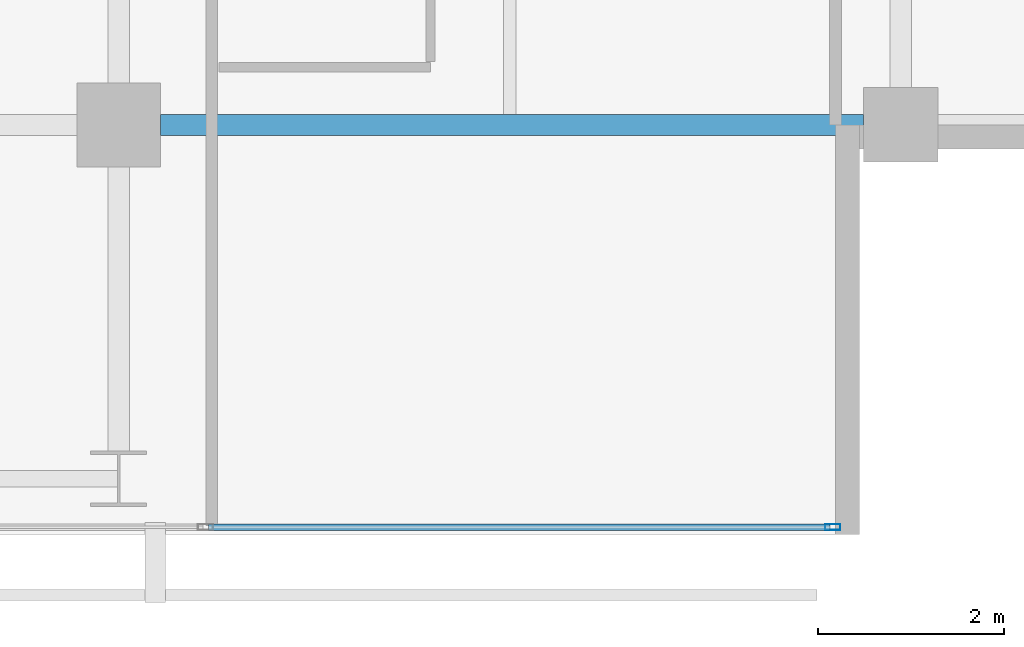
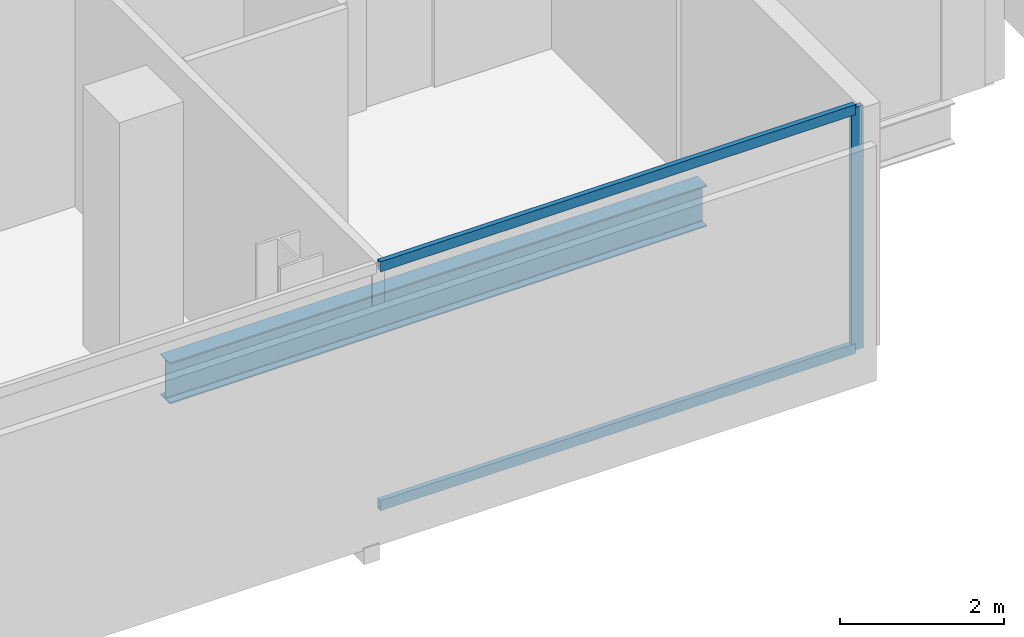
# One storey, part 13 of 33: 3 members, 1 beam, 1 element without a shape of its own.
"""IFC4 building model written with IfcOpenShell, lengths in metres."""

import ifcopenshell
import ifcopenshell.guid

model = None  # the IFC model being written
_history = None  # IfcOwnerHistory: only IFC2X3 demands one
_inside = {}  # id of a spatial element -> (the spatial element, [elements in it])
_under = {}  # id of a project, library or spatial element -> (it, [spatial elements below it])
_declared = {}  # id of a project -> (the project, [libraries it declares])
_typed = {}  # id of a type object -> (the type object, [elements of that type])
_made_of = {}  # id of a material, layer set ... -> (it, [elements and type objects made of it])


def new_model(schema):
    """Start an empty IFC model of exactly this schema.

    Asked for "IFC4X3", IfcOpenShell would pick the latest addendum, in which some entities
    have other attributes; the version numbers below select the first issue.
    IFC2X3 requires an IfcOwnerHistory on every rooted entity: one is made here for all.
    """
    global model, _history
    if schema == "IFC4X3":
        model = ifcopenshell.file(schema_version=(4, 3, 0, 0))
    else:
        model = ifcopenshell.file(schema=schema)
    _inside.clear()
    _under.clear()
    _declared.clear()
    _typed.clear()
    _made_of.clear()
    _history = None
    if model.schema == "IFC2X3":
        org = make("IfcOrganization", Name="unknown")
        user = make(
            "IfcPersonAndOrganization",
            ThePerson=make("IfcPerson", FamilyName="unknown"),
            TheOrganization=org,
        )
        app = make(
            "IfcApplication",
            ApplicationDeveloper=org,
            Version="unknown",
            ApplicationFullName="unknown",
            ApplicationIdentifier="unknown",
        )
        _history = make(
            "IfcOwnerHistory",
            OwningUser=user,
            OwningApplication=app,
            ChangeAction="ADDED",
            CreationDate=0,
        )
    return model


def make(cls, **values):
    """One entity of the class cls with the attributes given. An attribute that is None is left unset."""
    return model.create_entity(
        cls, **{name: value for name, value in values.items() if value is not None}
    )


def rooted(cls, **values):
    """An entity with a GlobalId (a new one), such as an element, a storey or a relation."""
    return make(cls, GlobalId=ifcopenshell.guid.new(), OwnerHistory=_history, **values)


def si_unit(unit_type, name, prefix=None):
    """IfcSIUnit, for example si_unit("LENGTHUNIT", "METRE", prefix="MILLI")."""
    return make("IfcSIUnit", UnitType=unit_type, Prefix=prefix, Name=name)


def assignment(units):
    """IfcUnitAssignment: the units of a project."""
    return None if units is None else make("IfcUnitAssignment", Units=units)


def point(xyz):
    """IfcCartesianPoint."""
    return None if xyz is None else make("IfcCartesianPoint", Coordinates=xyz)


def direction(xyz):
    """IfcDirection."""
    return None if xyz is None else make("IfcDirection", DirectionRatios=xyz)


def frame(location, z_axis=None, x_axis=None):
    """IfcAxis2Placement3D, a coordinate frame: its origin and axes. An axis left out is left unset."""
    return make(
        "IfcAxis2Placement3D",
        Location=point(location),
        Axis=direction(z_axis),
        RefDirection=direction(x_axis),
    )


def frame_2d(location, x_axis=None):
    """IfcAxis2Placement2D, a coordinate frame in the plane: its origin and x axis."""
    return make(
        "IfcAxis2Placement2D", Location=point(location), RefDirection=direction(x_axis)
    )


def origin():
    """The frame at (0, 0, 0) with its axes left unset."""
    return frame((0.0, 0.0, 0.0))


def origin_2d():
    """The frame at (0, 0) in the plane with its x axis left unset."""
    return frame_2d((0.0, 0.0))


def place(relative_to, where):
    """IfcLocalPlacement: puts the frame where relative to a parent placement (None: the world)."""
    return make(
        "IfcLocalPlacement", PlacementRelTo=relative_to, RelativePlacement=where
    )


def context(
    kind, dimensions, precision=None, world=None, true_north=None, identifier=None
):
    """IfcGeometricRepresentationContext, for example the 3D "Model" context."""
    return make(
        "IfcGeometricRepresentationContext",
        ContextIdentifier=identifier,
        ContextType=kind,
        CoordinateSpaceDimension=dimensions,
        Precision=precision,
        WorldCoordinateSystem=world,
        TrueNorth=true_north,
    )


def subcontext(parent, identifier, kind, view, scale=None):
    """IfcGeometricRepresentationSubContext, for example "Body" below "Model"."""
    return make(
        "IfcGeometricRepresentationSubContext",
        ContextIdentifier=identifier,
        ContextType=kind,
        ParentContext=parent,
        TargetScale=scale,
        TargetView=view,
    )


def project(units=None, contexts=None):
    """IfcProject with its units and contexts."""
    return rooted(
        "IfcProject",
        Name="project",
        RepresentationContexts=contexts,
        UnitsInContext=assignment(units),
    )


def spatial(cls, under=None, at=None, **own):
    """A site, building, storey or space (cls), placed at a placement, below another one or the project."""
    s = rooted(cls, ObjectPlacement=at, **own)
    if under is not None:
        _under.setdefault(under.id(), (under, []))[1].append(s)
    return s


def profile(cls, at=None, kind="AREA", **sizes):
    """A parametric profile (cls). Its sizes go by their IFC names, for example OverallWidth=200.0."""
    return make(cls, ProfileType=kind, Position=at, **sizes)


def hollow_rectangle(**sizes):
    """IfcRectangleHollowProfileDef."""
    return profile("IfcRectangleHollowProfileDef", **sizes)


def i_section(**sizes):
    """IfcIShapeProfileDef."""
    return profile("IfcIShapeProfileDef", **sizes)


def extrude(swept, where, along, depth):
    """IfcExtrudedAreaSolid: the profile swept, set in the frame where, extruded along a direction by depth."""
    return make(
        "IfcExtrudedAreaSolid",
        SweptArea=swept,
        Position=where,
        ExtrudedDirection=direction(along),
        Depth=depth,
    )


def shape(context_of_items, identifier, shape_type, items):
    """IfcShapeRepresentation: the items that make up one representation, for example the "Body"."""
    return make(
        "IfcShapeRepresentation",
        ContextOfItems=context_of_items,
        RepresentationIdentifier=identifier,
        RepresentationType=shape_type,
        Items=items,
    )


def material(Name=None, Category=None):
    """IfcMaterial."""
    return make("IfcMaterial", Name=Name, Category=Category)


def layer(
    of_material, thickness, ventilated=None, Name=None, Category=None, Priority=None
):
    """IfcMaterialLayer: one layer of a wall or slab, of a material (None: an air gap)."""
    return make(
        "IfcMaterialLayer",
        Material=of_material,
        LayerThickness=thickness,
        IsVentilated=ventilated,
        Name=Name,
        Category=Category,
        Priority=Priority,
    )


def layer_set(layers, Name=None):
    """IfcMaterialLayerSet."""
    return make("IfcMaterialLayerSet", MaterialLayers=layers, LayerSetName=Name)


def material_profile(
    of_material, cross_section, Name=None, Category=None, Priority=None
):
    """IfcMaterialProfile: a cross section and its material."""
    return make(
        "IfcMaterialProfile",
        Name=Name,
        Material=of_material,
        Profile=cross_section,
        Priority=Priority,
        Category=Category,
    )


def profile_set(profiles, Name=None, composite=None):
    """IfcMaterialProfileSet."""
    return make(
        "IfcMaterialProfileSet",
        Name=Name,
        MaterialProfiles=profiles,
        CompositeProfile=composite,
    )


def made_of(thing, what):
    """Note that an element or type object is made of a material, layer set ...; save() writes the relation."""
    if what is not None:
        _made_of.setdefault(what.id(), (what, []))[1].append(thing)
    return thing


def type_object(cls, material=None, **own):
    """A type object (cls), such as IfcWallType, which elements share."""
    return made_of(rooted(cls, **own), material)


def element(
    cls,
    number,
    at=None,
    inside=None,
    cuts=None,
    type_object=None,
    material=None,
    context=None,
    identifier="Body",
    shape_type=None,
    held_by="IfcProductDefinitionShape",
    body=None,
    shapes=None,
    **own,
):
    """One element of the class cls, such as IfcWall. Its Tag is "e" and its number.

    at: its placement. inside: the storey or other place that contains it. cuts: it is an
    opening in that element (IfcRelVoidsElement). A single representation is given by context,
    identifier, shape_type and body (its items); several are given by shapes. held_by: the class
    of the entity that holds the representations. save() writes the other relations.
    """
    e = rooted(cls, Tag="e%d" % number, ObjectPlacement=at, **own)
    if body is not None:
        shapes = [shape(context, identifier, shape_type, body)]
    if shapes is not None:
        e.Representation = make(held_by, Representations=shapes)
    if inside is not None:
        _inside.setdefault(inside.id(), (inside, []))[1].append(e)
    if cuts is not None:
        rooted(
            "IfcRelVoidsElement", RelatingBuildingElement=cuts, RelatedOpeningElement=e
        )
    if type_object is not None:
        _typed.setdefault(type_object.id(), (type_object, []))[1].append(e)
    return made_of(e, material)


def aggregate(whole, parts):
    """IfcRelAggregates: a whole, such as a stair, and the parts it consists of."""
    return rooted("IfcRelAggregates", RelatingObject=whole, RelatedObjects=parts)


def save(model, path):
    """Write the relations noted so far, then the file.

    IfcRelAggregates (storeys below a building ...), IfcRelContainedInSpatialStructure (elements
    in a storey), IfcRelDefinesByType, IfcRelAssociatesMaterial and IfcRelDeclares: one each for
    every whole, place, type object, material and project.
    """
    for whole, parts in _under.values():
        aggregate(whole, parts)
    for where, things in _inside.values():
        rooted(
            "IfcRelContainedInSpatialStructure",
            RelatedElements=things,
            RelatingStructure=where,
        )
    for kind, things in _typed.values():
        rooted("IfcRelDefinesByType", RelatedObjects=things, RelatingType=kind)
    for what, things in _made_of.values():
        rooted("IfcRelAssociatesMaterial", RelatedObjects=things, RelatingMaterial=what)
    for by, libraries in _declared.values():
        rooted("IfcRelDeclares", RelatingContext=by, RelatedDefinitions=libraries)
    model.write(path)


model = new_model("IFC4")

# Units and contexts
model_context = context("Model", 3, precision=1e-05, world=origin(), true_north=direction((0.0, 1.0)))
body_context = subcontext(model_context, "Body", "Model", "MODEL_VIEW")
ifc_project = project(units=[si_unit("LENGTHUNIT", "METRE"), si_unit("AREAUNIT", "SQUARE_METRE"), si_unit("VOLUMEUNIT", "CUBIC_METRE"), si_unit("PLANEANGLEUNIT", "RADIAN"), si_unit("MASSUNIT", "GRAM", prefix="KILO")], contexts=[model_context])

# Site, building, storey
site_placement = place(None, origin())
site = spatial("IfcSite", under=ifc_project, at=site_placement, CompositionType="ELEMENT")
building_placement = place(site_placement, origin())
building = spatial("IfcBuilding", under=site, at=building_placement, Name="Maruvema Waterfront Hotel and Observation Tower", CompositionType="ELEMENT")
storey_placement = place(building_placement, frame((0.0, 0.0, 154.35009765625)))
storey = spatial("IfcBuildingStorey", under=building, at=storey_placement, Name="L37", CompositionType="ELEMENT", Elevation=154.35009765625)

# Curtain wall, members
ifc_material_1 = material(Name="Anodised bronze aluminium and solar-control low-E IGU", Category="aluminium")
ifc_layer = layer(ifc_material_1, 0.159912109375, Name="Zone 2 Amber Inner Thermal Curtain Wall System CW-03")
ifc_layer_set = layer_set([ifc_layer], Name="Anodised bronze aluminium and solar-control low-E IGU")
curtain_wall_type = type_object("IfcCurtainWallType", Name="Zone 2 Amber Inner Thermal Curtain Wall System CW-03", PredefinedType="USERDEFINED", material=ifc_layer_set)
curtain_wall_placement = place(storey_placement, origin())
curtain_wall = element("IfcCurtainWall", 1, at=curtain_wall_placement, inside=storey, type_object=curtain_wall_type, Name="L37 Curtain Wall CW-L37-S", ObjectType="UNITISED CURTAIN WALL", PredefinedType="USERDEFINED")
ifc_material_2 = material(Name="Anodised architectural bronze aluminium", Category="aluminium")
ifc_material_profile_1 = material_profile(ifc_material_2, hollow_rectangle(XDim=0.070068359375, YDim=0.14990234375, WallThickness=0.00390625, at=origin_2d()), Name="ALU-T70x150")
ifc_profile_set_1 = profile_set([ifc_material_profile_1], Name="Anodised architectural bronze aluminium")
member_type_1 = type_object("IfcMemberType", Name="Curtain Wall Horizontal Transom ALU-T70x150", PredefinedType="USERDEFINED", material=ifc_profile_set_1)
member_1_placement = place(storey_placement, frame((51.36328125, 4.679931640625, 0.02978515625), z_axis=(1.0, 0.0, 0.0), x_axis=(0.0, 1.0, 0.0)))
member_1 = element("IfcMember", 2, at=member_1_placement, type_object=member_type_1, Name="CW-03 transom 6.1", ObjectType="TRANSOM", PredefinedType="USERDEFINED", context=body_context, shape_type="SweptSolid", body=[
    extrude(hollow_rectangle(XDim=0.070068359375, YDim=0.14990234375, WallThickness=0.00390625, at=origin_2d()), origin(), (0.0, 0.0, 1.0), 6.6767578125),
])
member_2_placement = place(storey_placement, frame((51.36328125, 4.679931640625, 3.579833984375), z_axis=(1.0, 0.0, 0.0), x_axis=(0.0, 1.0, 0.0)))
member_2 = element("IfcMember", 3, at=member_2_placement, type_object=member_type_1, Name="CW-03 transom 6.2", ObjectType="TRANSOM", PredefinedType="USERDEFINED", context=body_context, shape_type="SweptSolid", body=[
    extrude(hollow_rectangle(XDim=0.070068359375, YDim=0.14990234375, WallThickness=0.00390625, at=origin_2d()), origin(), (0.0, 0.0, 1.0), 6.6767578125),
])
ifc_material_3 = material(Name="Anodised architectural bronze aluminium", Category="aluminium")
ifc_material_profile_2 = material_profile(ifc_material_3, hollow_rectangle(XDim=0.06494140625, YDim=0.1650390625, WallThickness=0.00390625, at=origin_2d()), Name="ALU-M65x165")
ifc_profile_set_2 = profile_set([ifc_material_profile_2], Name="Anodised architectural bronze aluminium")
member_type_2 = type_object("IfcMemberType", Name="Curtain Wall Primary Mullion ALU-M65x165", PredefinedType="MULLION", material=ifc_profile_set_2)
member_3_placement = place(storey_placement, frame((58.070068359375, 4.679931640625, 0.0), z_axis=(0.0, 0.0, 1.0), x_axis=(0.0, 1.0, 0.0)))
member_3 = element("IfcMember", 4, at=member_3_placement, type_object=member_type_2, Name="CW-03 mullion 7", PredefinedType="MULLION", context=body_context, shape_type="SweptSolid", body=[
    extrude(hollow_rectangle(XDim=0.06494140625, YDim=0.1650390625, WallThickness=0.00390625, at=origin_2d()), origin(), (0.0, 0.0, 1.0), 3.60986328125),
])
aggregate(curtain_wall, [member_3, member_1, member_2])

# Beam
ifc_material_4 = material(Name="Steel ASTM A572 Grade 50", Category="steel")
ifc_material_profile_3 = material_profile(ifc_material_4, i_section(OverallWidth=0.22900390625, OverallDepth=0.612060546875, WebThickness=0.011962890625, FlangeThickness=0.01953125, FilletRadius=0.01806640625, at=origin_2d()), Name="W610x125.0")
ifc_profile_set_3 = profile_set([ifc_material_profile_3], Name="Steel ASTM A572 Grade 50")
beam_type = type_object("IfcBeamType", Name="Primary Floor Girder W610x125.0", PredefinedType="BEAM", material=ifc_profile_set_3)
beam_placement = place(storey_placement, frame((50.85009765625, 9.0, -0.546142578125), z_axis=(1.0, 0.0, 0.0), x_axis=(0.0, 1.0, 0.0)))
element("IfcBeam", 5, at=beam_placement, inside=storey, type_object=beam_type, Name="L37 Floor Girder EW-09", PredefinedType="BEAM", context=body_context, shape_type="SweptSolid", body=[
    extrude(i_section(OverallWidth=0.22900390625, OverallDepth=0.612060546875, WebThickness=0.011962890625, FlangeThickness=0.01953125, FilletRadius=0.01806640625, at=origin_2d()), origin(), (0.0, 0.0, 1.0), 7.5498046875),
])

save(model, "model.ifc")
